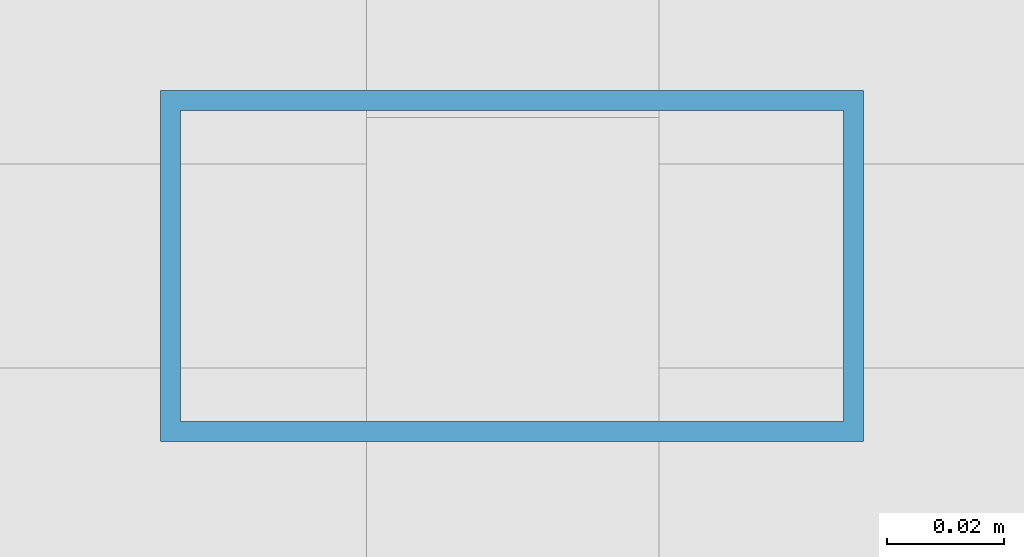
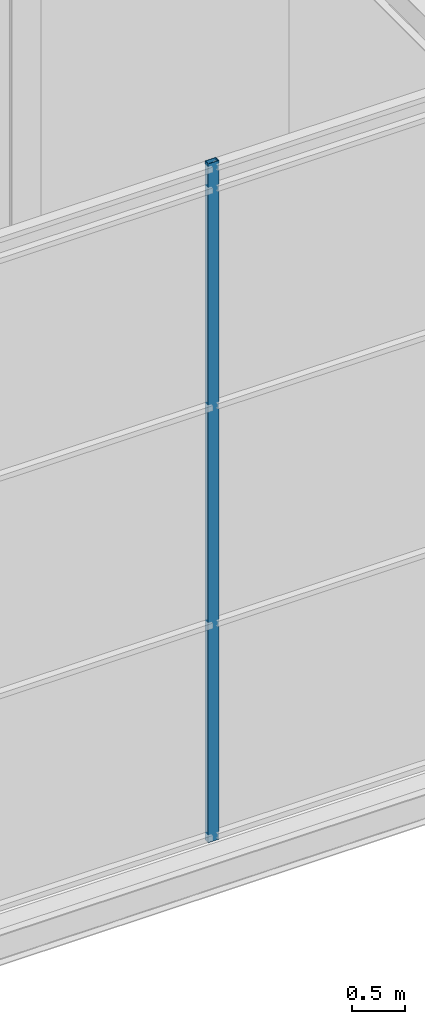
# One storey, part 43 of 144: 1 member, 1 element without a shape of its own.
"""IFC4 building model written with IfcOpenShell, lengths in metres."""

import ifcopenshell
import ifcopenshell.guid

model = None  # the IFC model being written
_history = None  # IfcOwnerHistory: only IFC2X3 demands one
_inside = {}  # id of a spatial element -> (the spatial element, [elements in it])
_under = {}  # id of a project, library or spatial element -> (it, [spatial elements below it])
_declared = {}  # id of a project -> (the project, [libraries it declares])
_typed = {}  # id of a type object -> (the type object, [elements of that type])
_made_of = {}  # id of a material, layer set ... -> (it, [elements and type objects made of it])


def new_model(schema):
    """Start an empty IFC model of exactly this schema.

    Asked for "IFC4X3", IfcOpenShell would pick the latest addendum, in which some entities
    have other attributes; the version numbers below select the first issue.
    IFC2X3 requires an IfcOwnerHistory on every rooted entity: one is made here for all.
    """
    global model, _history
    if schema == "IFC4X3":
        model = ifcopenshell.file(schema_version=(4, 3, 0, 0))
    else:
        model = ifcopenshell.file(schema=schema)
    _inside.clear()
    _under.clear()
    _declared.clear()
    _typed.clear()
    _made_of.clear()
    _history = None
    if model.schema == "IFC2X3":
        org = make("IfcOrganization", Name="unknown")
        user = make(
            "IfcPersonAndOrganization",
            ThePerson=make("IfcPerson", FamilyName="unknown"),
            TheOrganization=org,
        )
        app = make(
            "IfcApplication",
            ApplicationDeveloper=org,
            Version="unknown",
            ApplicationFullName="unknown",
            ApplicationIdentifier="unknown",
        )
        _history = make(
            "IfcOwnerHistory",
            OwningUser=user,
            OwningApplication=app,
            ChangeAction="ADDED",
            CreationDate=0,
        )
    return model


def make(cls, **values):
    """One entity of the class cls with the attributes given. An attribute that is None is left unset."""
    return model.create_entity(
        cls, **{name: value for name, value in values.items() if value is not None}
    )


def rooted(cls, **values):
    """An entity with a GlobalId (a new one), such as an element, a storey or a relation."""
    return make(cls, GlobalId=ifcopenshell.guid.new(), OwnerHistory=_history, **values)


def si_unit(unit_type, name, prefix=None):
    """IfcSIUnit, for example si_unit("LENGTHUNIT", "METRE", prefix="MILLI")."""
    return make("IfcSIUnit", UnitType=unit_type, Prefix=prefix, Name=name)


def assignment(units):
    """IfcUnitAssignment: the units of a project."""
    return None if units is None else make("IfcUnitAssignment", Units=units)


def point(xyz):
    """IfcCartesianPoint."""
    return None if xyz is None else make("IfcCartesianPoint", Coordinates=xyz)


def direction(xyz):
    """IfcDirection."""
    return None if xyz is None else make("IfcDirection", DirectionRatios=xyz)


def frame(location, z_axis=None, x_axis=None):
    """IfcAxis2Placement3D, a coordinate frame: its origin and axes. An axis left out is left unset."""
    return make(
        "IfcAxis2Placement3D",
        Location=point(location),
        Axis=direction(z_axis),
        RefDirection=direction(x_axis),
    )


def frame_2d(location, x_axis=None):
    """IfcAxis2Placement2D, a coordinate frame in the plane: its origin and x axis."""
    return make(
        "IfcAxis2Placement2D", Location=point(location), RefDirection=direction(x_axis)
    )


def origin():
    """The frame at (0, 0, 0) with its axes left unset."""
    return frame((0.0, 0.0, 0.0))


def origin_2d():
    """The frame at (0, 0) in the plane with its x axis left unset."""
    return frame_2d((0.0, 0.0))


def place(relative_to, where):
    """IfcLocalPlacement: puts the frame where relative to a parent placement (None: the world)."""
    return make(
        "IfcLocalPlacement", PlacementRelTo=relative_to, RelativePlacement=where
    )


def context(
    kind, dimensions, precision=None, world=None, true_north=None, identifier=None
):
    """IfcGeometricRepresentationContext, for example the 3D "Model" context."""
    return make(
        "IfcGeometricRepresentationContext",
        ContextIdentifier=identifier,
        ContextType=kind,
        CoordinateSpaceDimension=dimensions,
        Precision=precision,
        WorldCoordinateSystem=world,
        TrueNorth=true_north,
    )


def subcontext(parent, identifier, kind, view, scale=None):
    """IfcGeometricRepresentationSubContext, for example "Body" below "Model"."""
    return make(
        "IfcGeometricRepresentationSubContext",
        ContextIdentifier=identifier,
        ContextType=kind,
        ParentContext=parent,
        TargetScale=scale,
        TargetView=view,
    )


def project(units=None, contexts=None):
    """IfcProject with its units and contexts."""
    return rooted(
        "IfcProject",
        Name="project",
        RepresentationContexts=contexts,
        UnitsInContext=assignment(units),
    )


def spatial(cls, under=None, at=None, **own):
    """A site, building, storey or space (cls), placed at a placement, below another one or the project."""
    s = rooted(cls, ObjectPlacement=at, **own)
    if under is not None:
        _under.setdefault(under.id(), (under, []))[1].append(s)
    return s


def profile(cls, at=None, kind="AREA", **sizes):
    """A parametric profile (cls). Its sizes go by their IFC names, for example OverallWidth=200.0."""
    return make(cls, ProfileType=kind, Position=at, **sizes)


def hollow_rectangle(**sizes):
    """IfcRectangleHollowProfileDef."""
    return profile("IfcRectangleHollowProfileDef", **sizes)


def extrude(swept, where, along, depth):
    """IfcExtrudedAreaSolid: the profile swept, set in the frame where, extruded along a direction by depth."""
    return make(
        "IfcExtrudedAreaSolid",
        SweptArea=swept,
        Position=where,
        ExtrudedDirection=direction(along),
        Depth=depth,
    )


def shape(context_of_items, identifier, shape_type, items):
    """IfcShapeRepresentation: the items that make up one representation, for example the "Body"."""
    return make(
        "IfcShapeRepresentation",
        ContextOfItems=context_of_items,
        RepresentationIdentifier=identifier,
        RepresentationType=shape_type,
        Items=items,
    )


def material(Name=None, Category=None):
    """IfcMaterial."""
    return make("IfcMaterial", Name=Name, Category=Category)


def layer(
    of_material, thickness, ventilated=None, Name=None, Category=None, Priority=None
):
    """IfcMaterialLayer: one layer of a wall or slab, of a material (None: an air gap)."""
    return make(
        "IfcMaterialLayer",
        Material=of_material,
        LayerThickness=thickness,
        IsVentilated=ventilated,
        Name=Name,
        Category=Category,
        Priority=Priority,
    )


def layer_set(layers, Name=None):
    """IfcMaterialLayerSet."""
    return make("IfcMaterialLayerSet", MaterialLayers=layers, LayerSetName=Name)


def material_profile(
    of_material, cross_section, Name=None, Category=None, Priority=None
):
    """IfcMaterialProfile: a cross section and its material."""
    return make(
        "IfcMaterialProfile",
        Name=Name,
        Material=of_material,
        Profile=cross_section,
        Priority=Priority,
        Category=Category,
    )


def profile_set(profiles, Name=None, composite=None):
    """IfcMaterialProfileSet."""
    return make(
        "IfcMaterialProfileSet",
        Name=Name,
        MaterialProfiles=profiles,
        CompositeProfile=composite,
    )


def made_of(thing, what):
    """Note that an element or type object is made of a material, layer set ...; save() writes the relation."""
    if what is not None:
        _made_of.setdefault(what.id(), (what, []))[1].append(thing)
    return thing


def type_object(cls, material=None, **own):
    """A type object (cls), such as IfcWallType, which elements share."""
    return made_of(rooted(cls, **own), material)


def element(
    cls,
    number,
    at=None,
    inside=None,
    cuts=None,
    type_object=None,
    material=None,
    context=None,
    identifier="Body",
    shape_type=None,
    held_by="IfcProductDefinitionShape",
    body=None,
    shapes=None,
    **own,
):
    """One element of the class cls, such as IfcWall. Its Tag is "e" and its number.

    at: its placement. inside: the storey or other place that contains it. cuts: it is an
    opening in that element (IfcRelVoidsElement). A single representation is given by context,
    identifier, shape_type and body (its items); several are given by shapes. held_by: the class
    of the entity that holds the representations. save() writes the other relations.
    """
    e = rooted(cls, Tag="e%d" % number, ObjectPlacement=at, **own)
    if body is not None:
        shapes = [shape(context, identifier, shape_type, body)]
    if shapes is not None:
        e.Representation = make(held_by, Representations=shapes)
    if inside is not None:
        _inside.setdefault(inside.id(), (inside, []))[1].append(e)
    if cuts is not None:
        rooted(
            "IfcRelVoidsElement", RelatingBuildingElement=cuts, RelatedOpeningElement=e
        )
    if type_object is not None:
        _typed.setdefault(type_object.id(), (type_object, []))[1].append(e)
    return made_of(e, material)


def aggregate(whole, parts):
    """IfcRelAggregates: a whole, such as a stair, and the parts it consists of."""
    return rooted("IfcRelAggregates", RelatingObject=whole, RelatedObjects=parts)


def save(model, path):
    """Write the relations noted so far, then the file.

    IfcRelAggregates (storeys below a building ...), IfcRelContainedInSpatialStructure (elements
    in a storey), IfcRelDefinesByType, IfcRelAssociatesMaterial and IfcRelDeclares: one each for
    every whole, place, type object, material and project.
    """
    for whole, parts in _under.values():
        aggregate(whole, parts)
    for where, things in _inside.values():
        rooted(
            "IfcRelContainedInSpatialStructure",
            RelatedElements=things,
            RelatingStructure=where,
        )
    for kind, things in _typed.values():
        rooted("IfcRelDefinesByType", RelatedObjects=things, RelatingType=kind)
    for what, things in _made_of.values():
        rooted("IfcRelAssociatesMaterial", RelatedObjects=things, RelatingMaterial=what)
    for by, libraries in _declared.values():
        rooted("IfcRelDeclares", RelatingContext=by, RelatedDefinitions=libraries)
    model.write(path)


model = new_model("IFC4")

# Units and contexts
model_context = context("Model", 3, precision=1e-05, world=origin(), true_north=direction((0.0, 1.0)))
body_context = subcontext(model_context, "Body", "Model", "MODEL_VIEW")
ifc_project = project(units=[si_unit("LENGTHUNIT", "METRE"), si_unit("AREAUNIT", "SQUARE_METRE"), si_unit("VOLUMEUNIT", "CUBIC_METRE"), si_unit("PLANEANGLEUNIT", "RADIAN"), si_unit("MASSUNIT", "GRAM", prefix="KILO")], contexts=[model_context])

# Site, building, storey
site_placement = place(None, origin())
site = spatial("IfcSite", under=ifc_project, at=site_placement, CompositionType="ELEMENT")
building_placement = place(site_placement, origin())
building = spatial("IfcBuilding", under=site, at=building_placement, Name="Shorebreak Coast Museum", CompositionType="ELEMENT")
storey_placement = place(building_placement, frame((0.0, 0.0, 36.0)))
storey = spatial("IfcBuildingStorey", under=building, at=storey_placement, Name="L06", CompositionType="ELEMENT", Elevation=36.0)

# Curtain wall, member
ifc_material_1 = material(Name="Aluminium", Category="aluminium")
ifc_layer = layer(ifc_material_1, 0.1201171875)
ifc_layer_set = layer_set([ifc_layer], Name="Aluminium")
curtain_wall_type = type_object("IfcCurtainWallType", Name="Atrium fire screen", PredefinedType="NOTDEFINED", material=ifc_layer_set)
curtain_wall_placement = place(storey_placement, origin())
curtain_wall = element("IfcCurtainWall", 1, at=curtain_wall_placement, inside=storey, type_object=curtain_wall_type, Name="Atrium screen L06 N 84", PredefinedType="NOTDEFINED")
ifc_material_2 = material(Name="Aluminium", Category="aluminium")
ifc_material_profile = material_profile(ifc_material_2, hollow_rectangle(XDim=0.06005859375, YDim=0.1201171875, WallThickness=0.00341796875, at=origin_2d()), Name="AL 120x60 RHS")
ifc_profile_set = profile_set([ifc_material_profile], Name="Aluminium")
member_type = type_object("IfcMemberType", Name="Screen mullion 50 x 120", PredefinedType="MULLION", material=ifc_profile_set)
member_placement = place(storey_placement, frame((68.94873046875, 81.06005859375, 0.0), z_axis=(0.0, 0.0, 1.0), x_axis=(0.0, 1.0, 0.0)))
member = element("IfcMember", 2, at=member_placement, type_object=member_type, Name="CW4 mullion 3", PredefinedType="MULLION", context=body_context, shape_type="SweptSolid", body=[
    extrude(hollow_rectangle(XDim=0.06005859375, YDim=0.1201171875, WallThickness=0.00341796875, at=origin_2d()), origin(), (0.0, 0.0, 1.0), 7.800048828125),
])
aggregate(curtain_wall, [member])

save(model, "model.ifc")
